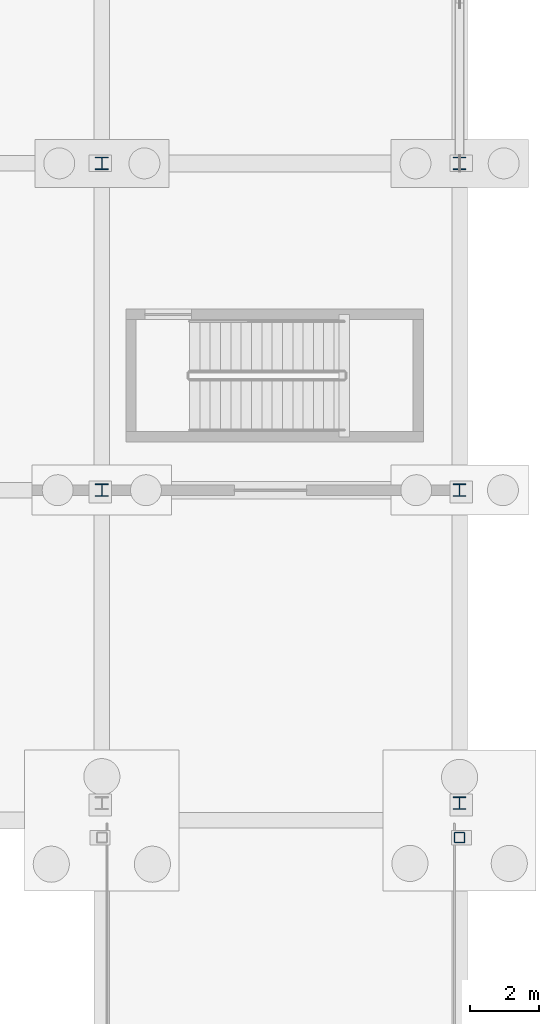
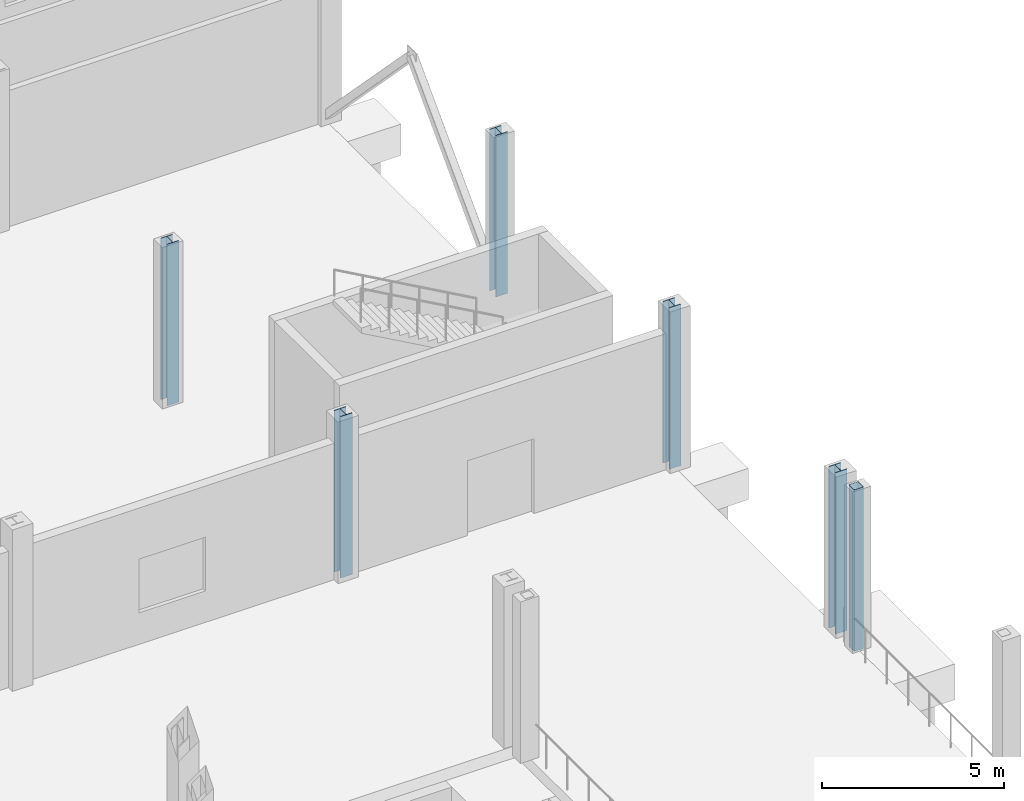
# One storey, part 31 of 83: 6 columns.
"""IFC4 building model written with IfcOpenShell, lengths in metres."""

from ifc_helpers import new_model, si_unit, direction, frame, origin, origin_2d, place, context, subcontext, project, spatial, hollow_rectangle, i_section, extrude, material, material_profile, profile_set, type_object, element, save


model = new_model("IFC4")

# Units and contexts
model_context = context("Model", 3, precision=1e-05, world=origin(), true_north=direction((0.0, 1.0)))
body_context = subcontext(model_context, "Body", "Model", "MODEL_VIEW")
ifc_project = project(units=[si_unit("LENGTHUNIT", "METRE"), si_unit("AREAUNIT", "SQUARE_METRE"), si_unit("VOLUMEUNIT", "CUBIC_METRE"), si_unit("PLANEANGLEUNIT", "RADIAN"), si_unit("MASSUNIT", "GRAM", prefix="KILO")], contexts=[model_context])

# Site, building, storey
site_placement = place(None, origin())
site = spatial("IfcSite", under=ifc_project, at=site_placement, CompositionType="ELEMENT")
building_placement = place(site_placement, origin())
building = spatial("IfcBuilding", under=site, at=building_placement, Name="Caurita Quay Ferry Terminal", CompositionType="ELEMENT")
storey_placement = place(building_placement, origin())
storey = spatial("IfcBuildingStorey", under=building, at=storey_placement, Name="L00", CompositionType="ELEMENT", Elevation=0.0)

# Columns
ifc_material_1 = material(Name="Hollow structural steel ASTM A500 Gr. C", Category="steel")
ifc_material_profile_1 = material_profile(ifc_material_1, hollow_rectangle(XDim=0.3046875, YDim=0.3046875, WallThickness=0.01171875, InnerFilletRadius=0.01171875, OuterFilletRadius=0.023681640625, at=origin_2d()), Name="HSS12X12X1/2")
ifc_profile_set_1 = profile_set([ifc_material_profile_1], Name="Hollow structural steel ASTM A500 Gr. C")
column_type_1 = type_object("IfcColumnType", Name="COL-HSS-02", PredefinedType="COLUMN", material=ifc_profile_set_1)
column_placement = place(storey_placement, frame((174.0, 33.60009765625, 0.0), z_axis=(0.0, 0.0, 1.0), x_axis=(1.0, 0.0, 0.0)))
element("IfcColumn", 1, at=column_placement, inside=storey, type_object=column_type_1, Name="L00 Column V3-BP-19-E", PredefinedType="COLUMN", context=body_context, shape_type="SweptSolid", body=[
    extrude(hollow_rectangle(XDim=0.3046875, YDim=0.3046875, WallThickness=0.01171875, InnerFilletRadius=0.01171875, OuterFilletRadius=0.023681640625, at=origin_2d()), origin(), (0.0, 0.0, 1.0), 5.39990234375),
])
ifc_material_2 = material(Name="Structural steel ASTM A992 Gr. 50", Category="steel")
ifc_material_profile_2 = material_profile(ifc_material_2, i_section(OverallWidth=0.370849609375, OverallDepth=0.36328125, WebThickness=0.01318359375, FlangeThickness=0.021728515625, FilletRadius=0.017822265625, at=origin_2d()), Name="W14X109")
ifc_profile_set_2 = profile_set([ifc_material_profile_2], Name="Structural steel ASTM A992 Gr. 50")
column_type_2 = type_object("IfcColumnType", Name="COL-STL-08", PredefinedType="COLUMN", material=ifc_profile_set_2)
for number, where, z_axis, x_axis, name in (
    (2, (163.60009765625, 43.699951171875, 0.0), (0.0, 0.0, 1.0), (1.0, 0.0, 0.0), "L00 Column V3-HH-18-G"),
    (3, (163.60009765625, 53.199951171875, 0.0), (0.0, 0.0, 1.0), (1.0, 0.0, 0.0), "L00 Column V3-HH-18-H"),
    (4, (174.0, 34.60009765625, 0.0), (0.0, 0.0, 1.0), (1.0, 0.0, 0.0), "L00 Column V3-HH-19-F"),
    (5, (174.0, 43.699951171875, 0.0), (0.0, 0.0, 1.0), (1.0, 0.0, 0.0), "L00 Column V3-HH-19-G"),
    (6, (174.0, 53.199951171875, 0.0), (0.0, 0.0, 1.0), (1.0, 0.0, 0.0), "L00 Column V3-HH-19-H"),
):
    element("IfcColumn", number, at=place(storey_placement, frame(where, z_axis=z_axis, x_axis=x_axis)), inside=storey, type_object=column_type_2, Name=name, PredefinedType="COLUMN", context=body_context, shape_type="SweptSolid", body=[
        extrude(i_section(OverallWidth=0.370849609375, OverallDepth=0.36328125, WebThickness=0.01318359375, FlangeThickness=0.021728515625, FilletRadius=0.017822265625, at=origin_2d()), origin(), (0.0, 0.0, 1.0), 5.39990234375),
    ])

save(model, "model.ifc")
